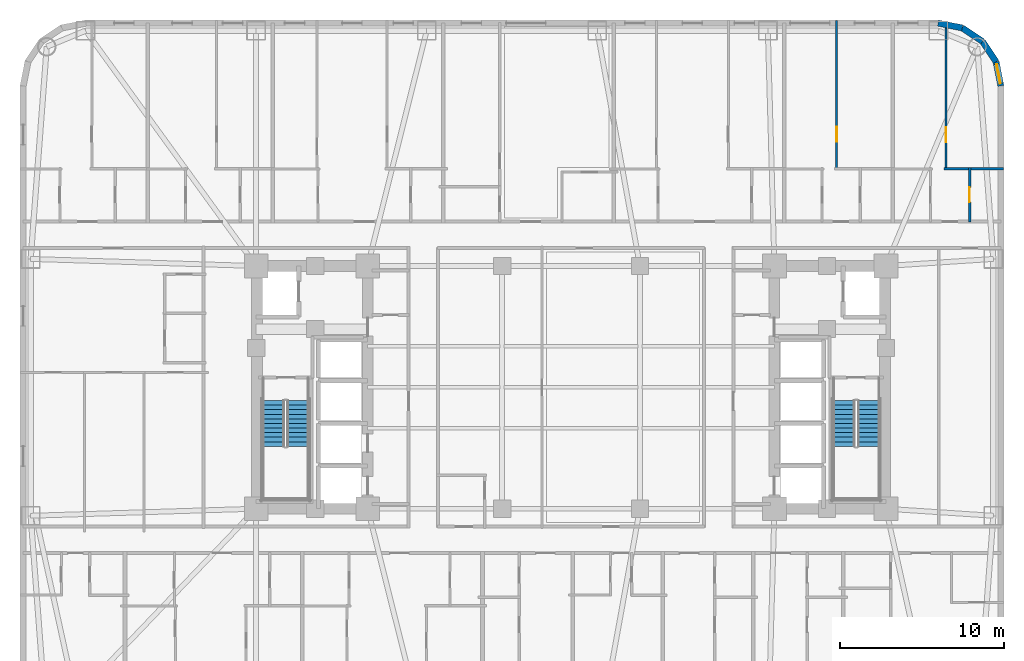
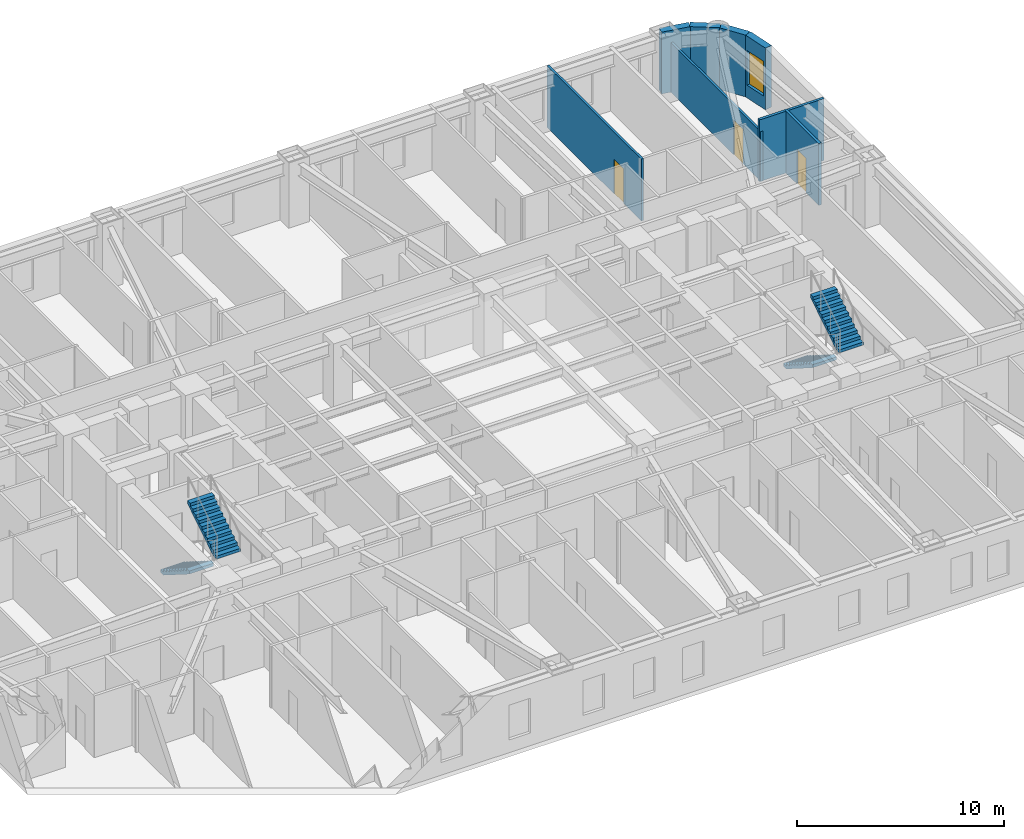
# One storey, part 9 of 12: 8 walls, 4 stair flights, 3 doors, 1 window, 4 openings, 2 elements without a shape of their own.
"""IFC4 building model written with IfcOpenShell, lengths in metres."""

from ifc_helpers import new_model, si_unit, direction, frame, frame_2d, origin, place, context, subcontext, project, spatial, polyline, rectangle, outline, extrude, material, layer, layer_set, type_object, element, fill, aggregate, save


model = new_model("IFC4")

# Units and contexts
model_context = context("Model", 3, precision=1e-05, world=origin(), true_north=direction((0.0, 1.0)))
body_context = subcontext(model_context, "Body", "Model", "MODEL_VIEW")
ifc_project = project(units=[si_unit("LENGTHUNIT", "METRE"), si_unit("AREAUNIT", "SQUARE_METRE"), si_unit("VOLUMEUNIT", "CUBIC_METRE"), si_unit("PLANEANGLEUNIT", "RADIAN"), si_unit("MASSUNIT", "GRAM", prefix="KILO")], contexts=[model_context])

# Site, building, storey
site_placement = place(None, origin())
site = spatial("IfcSite", under=ifc_project, at=site_placement, CompositionType="ELEMENT")
building_placement = place(site_placement, origin())
building = spatial("IfcBuilding", under=site, at=building_placement, Name="Voryun Gate Residences", CompositionType="ELEMENT")
storey_placement = place(building_placement, frame((0.0, 0.0, 41.60009765625)))
storey = spatial("IfcBuildingStorey", under=building, at=storey_placement, Name="L09", CompositionType="ELEMENT", Elevation=41.60009765625)

# Walls
ifc_material_1 = material(Name="Granite masonry", Category="masonry")
ifc_layer_1 = layer(ifc_material_1, 0.3798828125, Name="W_EXT_GRANITE_380")
ifc_layer_set_1 = layer_set([ifc_layer_1], Name="Granite masonry")
wall_type_1 = type_object("IfcWallType", Name="W_EXT_GRANITE_380", PredefinedType="ELEMENTEDWALL", material=ifc_layer_set_1)
wall_1_placement = place(storey_placement, frame((22.38134765625, 22.2099609375, 0.0), z_axis=(0.0, 0.0, 1.0), x_axis=(0.980786132421, -0.195086038585, 0.0)))
element("IfcWall", 1, at=wall_1_placement, inside=storey, type_object=wall_type_1, Name="Exterior wall WEXT-L09-12", PredefinedType="ELEMENTEDWALL", context=body_context, shape_type="SweptSolid", body=[
    extrude(rectangle(XDim=1.504150390625, YDim=0.3798828125, at=frame_2d((0.751953125, 0.0))), origin(), (0.0, 0.0, 1.0), 3.64990234375),
])
for number, where, z_axis, x_axis, name in (
    (2, (23.856689453125, 21.91650390625, 0.0), (0.0, 0.0, 1.0), (0.831392092774, -0.555686231674, 0.0), "Exterior wall WEXT-L09-13"),
    (3, (25.09130859375, 21.09130859375, 0.0), (0.0, 0.0, 1.0), (0.555686231674, -0.831392092774, 0.0), "Exterior wall WEXT-L09-14"),
):
    element("IfcWall", number, at=place(storey_placement, frame(where, z_axis=z_axis, x_axis=x_axis)), inside=storey, type_object=wall_type_1, Name=name, PredefinedType="ELEMENTEDWALL", context=body_context, shape_type="SweptSolid", body=[
        extrude(rectangle(XDim=1.485107421875, YDim=0.3798828125, at=frame_2d((0.74267578125, 0.0))), origin(), (0.0, 0.0, 1.0), 3.64990234375),
    ])

# Wall, opening, window
wall_2_placement = place(storey_placement, frame((25.91650390625, 19.856689453125, 0.0), z_axis=(0.0, 0.0, 1.0), x_axis=(0.195086038585, -0.980786132421, 0.0)))
wall_2 = element("IfcWall", 4, at=wall_2_placement, inside=storey, type_object=wall_type_1, Name="Exterior wall WEXT-L09-15", PredefinedType="ELEMENTEDWALL", context=body_context, shape_type="SweptSolid", body=[
    extrude(rectangle(XDim=1.504150390625, YDim=0.3798828125, at=frame_2d((0.751953125, 0.0))), origin(), (0.0, 0.0, 1.0), 3.64990234375),
])
opening_1_placement = place(wall_2_placement, frame((0.152099609375, 0.0, 0.75)))
opening_1 = element("IfcOpeningElement", 5, at=opening_1_placement, cuts=wall_2, Name="Opening WN6", PredefinedType="OPENING", context=body_context, shape_type="SweptSolid", body=[
    extrude(rectangle(XDim=1.199951171875, YDim=2.050048828125, at=frame_2d((0.60009765625, 1.02490234375))), frame((0.0, 0.199951171875, 0.0), z_axis=(0.0, -1.0, 0.0), x_axis=(1.0, 0.0, 0.0)), (0.0, 0.0, 1.0), 0.39990234375),
])
ifc_material_2 = material(Name="Laminated low-E glass", Category="glass")
window_type = type_object("IfcWindowType", Name="WN_POD_SLOT_1200", PartitioningType="SINGLE_PANEL", PredefinedType="WINDOW", material=ifc_material_2)
window_placement = place(opening_1_placement, origin())
window = element("IfcWindow", 6, at=window_placement, inside=storey, type_object=window_type, Name="Window WN-L09-DWFIX-14", OverallHeight=2.050048828125, OverallWidth=1.199951171875, PartitioningType="SINGLE_PANEL", PredefinedType="WINDOW", context=body_context, shape_type="SweptSolid", body=[
    extrude(rectangle(XDim=1.199951171875, YDim=2.050048828125, at=frame_2d((0.60009765625, 1.02490234375))), frame((0.0, 0.030029296875, 0.0), z_axis=(0.0, -1.0, 0.0), x_axis=(1.0, 0.0, 0.0)), (0.0, 0.0, 1.0), 0.06005859375),
])
fill(opening_1, window)

# Wall, opening, door
ifc_material_3 = material(Name="Gypsum acoustic partition")
ifc_layer_2 = layer(ifc_material_3, 0.125, Name="W_UNIT_PART_125")
ifc_layer_set_2 = layer_set([ifc_layer_2], Name="Gypsum acoustic partition")
wall_type_2 = type_object("IfcWallType", Name="W_UNIT_PART_125", PredefinedType="PARTITIONING", material=ifc_layer_set_2)
wall_3_placement = place(storey_placement, frame((16.198974609375, 13.239990234375, 0.0), z_axis=(0.0, 0.0, 1.0), x_axis=(0.0, 1.0, 0.0)))
wall_3 = element("IfcWall", 7, at=wall_3_placement, inside=storey, type_object=wall_type_2, Name="Partition wall WP-L09-N6-OVR", PredefinedType="PARTITIONING", context=body_context, shape_type="SweptSolid", body=[
    extrude(rectangle(XDim=9.1201171875, YDim=0.125, at=frame_2d((4.56005859375, 0.0))), origin(), (0.0, 0.0, 1.0), 3.64990234375),
])
opening_2_placement = place(wall_3_placement, frame((1.73876953125, 0.0, 0.0)))
opening_2 = element("IfcOpeningElement", 8, at=opening_2_placement, cuts=wall_3, Name="Opening D-INT-2", PredefinedType="OPENING", context=body_context, shape_type="SweptSolid", body=[
    extrude(rectangle(XDim=0.89990234375, YDim=2.050048828125, at=frame_2d((0.449951171875, 1.02490234375))), frame((0.0, 0.072509765625, 0.0), z_axis=(0.0, -1.0, 0.0), x_axis=(1.0, 0.0, 0.0)), (0.0, 0.0, 1.0), 0.14501953125),
])
ifc_material_4 = material(Name="Architectural oak veneer")
door_type = type_object("IfcDoorType", Name="DR_INT_BATH_900", OperationType="NOTDEFINED", PredefinedType="DOOR", material=ifc_material_4)
door_1_placement = place(opening_2_placement, origin())
door_1 = element("IfcDoor", 9, at=door_1_placement, inside=storey, type_object=door_type, Name="Door DR-L09-N6-DMB", OperationType="SINGLE_SWING_RIGHT", OverallHeight=2.050048828125, OverallWidth=0.89990234375, PredefinedType="DOOR", context=body_context, shape_type="SweptSolid", body=[
    extrude(rectangle(XDim=0.89990234375, YDim=2.050048828125, at=frame_2d((0.449951171875, 1.02490234375))), frame((0.0, 0.02490234375, 0.0), z_axis=(0.0, -1.0, 0.0), x_axis=(1.0, 0.0, 0.0)), (0.0, 0.0, 1.0), 0.050048828125),
])
fill(opening_2, door_1)

wall_4_placement = place(storey_placement, frame((22.867919921875, 13.239990234375, 0.0), z_axis=(0.0, 0.0, 1.0), x_axis=(0.0, 1.0, 0.0)))
wall_4 = element("IfcWall", 10, at=wall_4_placement, inside=storey, type_object=wall_type_2, Name="Partition wall WP-L09-N7-OVR", PredefinedType="PARTITIONING", context=body_context, shape_type="SweptSolid", body=[
    extrude(rectangle(XDim=9.026123046875, YDim=0.125, at=frame_2d((4.51318359375, 0.0))), origin(), (0.0, 0.0, 1.0), 2.93994140625),
])
opening_3_placement = place(wall_4_placement, frame((1.71630859375, 0.0, 0.0)))
opening_3 = element("IfcOpeningElement", 11, at=opening_3_placement, cuts=wall_4, Name="Opening D-INT-2", PredefinedType="OPENING", context=body_context, shape_type="SweptSolid", body=[
    extrude(rectangle(XDim=0.89990234375, YDim=2.050048828125, at=frame_2d((0.449951171875, 1.02490234375))), frame((0.0, 0.072509765625, 0.0), z_axis=(0.0, -1.0, 0.0), x_axis=(1.0, 0.0, 0.0)), (0.0, 0.0, 1.0), 0.14501953125),
])
door_2_placement = place(opening_3_placement, origin())
door_2 = element("IfcDoor", 12, at=door_2_placement, inside=storey, type_object=door_type, Name="Door DR-L09-N7-DMB", OperationType="SINGLE_SWING_RIGHT", OverallHeight=2.050048828125, OverallWidth=0.89990234375, PredefinedType="DOOR", context=body_context, shape_type="SweptSolid", body=[
    extrude(rectangle(XDim=0.89990234375, YDim=2.050048828125, at=frame_2d((0.449951171875, 1.02490234375))), frame((0.0, 0.02490234375, 0.0), z_axis=(0.0, -1.0, 0.0), x_axis=(1.0, 0.0, 0.0)), (0.0, 0.0, 1.0), 0.050048828125),
])
fill(opening_3, door_2)

# Wall
ifc_material_5 = material(Name="Gypsum moisture-resistant partition")
ifc_layer_3 = layer(ifc_material_5, 0.14990234375, Name="W_WET_PLUMB_150")
ifc_layer_set_3 = layer_set([ifc_layer_3], Name="Gypsum moisture-resistant partition")
wall_type_3 = type_object("IfcWallType", Name="W_WET_PLUMB_150", PredefinedType="PLUMBINGWALL", material=ifc_layer_set_3)
wall_5_placement = place(storey_placement, frame((22.748046875, 13.320068359375, 0.0), z_axis=(0.0, 0.0, 1.0), x_axis=(1.0, 0.0, 0.0)))
element("IfcWall", 13, at=wall_5_placement, inside=storey, type_object=wall_type_3, Name="Partition wall WP-L09-N7-HZB", PredefinedType="PLUMBINGWALL", context=body_context, shape_type="SweptSolid", body=[
    extrude(rectangle(XDim=3.612060546875, YDim=0.14990234375, at=frame_2d((1.80615234375, 0.0))), origin(), (0.0, 0.0, 1.0), 3.64990234375),
])

# Wall, opening, door
wall_6_placement = place(storey_placement, frame((24.298095703125, 10.080078125, 0.0), z_axis=(0.0, 0.0, 1.0), x_axis=(0.0, 1.0, 0.0)))
wall_6 = element("IfcWall", 14, at=wall_6_placement, inside=storey, type_object=wall_type_3, Name="Partition wall WP-L09-N7-IVB", PredefinedType="PLUMBINGWALL", context=body_context, shape_type="SweptSolid", body=[
    extrude(rectangle(XDim=3.31982421875, YDim=0.14990234375, at=frame_2d((1.659912109375, 0.0))), origin(), (0.0, 0.0, 1.0), 3.64990234375),
])
opening_4_placement = place(wall_6_placement, frame((1.2099609375, 0.0, 0.0)))
opening_4 = element("IfcOpeningElement", 15, at=opening_4_placement, cuts=wall_6, Name="Opening D-INT-2", PredefinedType="OPENING", context=body_context, shape_type="SweptSolid", body=[
    extrude(rectangle(XDim=0.89990234375, YDim=2.050048828125, at=frame_2d((0.449951171875, 1.02490234375))), frame((0.0, 0.0849609375, 0.0), z_axis=(0.0, -1.0, 0.0), x_axis=(1.0, 0.0, 0.0)), (0.0, 0.0, 1.0), 0.169921875),
])
door_3_placement = place(opening_4_placement, origin())
door_3 = element("IfcDoor", 16, at=door_3_placement, inside=storey, type_object=door_type, Name="Door DR-L09-N7-DB", OperationType="SINGLE_SWING_RIGHT", OverallHeight=2.050048828125, OverallWidth=0.89990234375, PredefinedType="DOOR", context=body_context, shape_type="SweptSolid", body=[
    extrude(rectangle(XDim=0.89990234375, YDim=2.050048828125, at=frame_2d((0.449951171875, 1.02490234375))), frame((0.0, 0.02490234375, 0.0), z_axis=(0.0, -1.0, 0.0), x_axis=(1.0, 0.0, 0.0)), (0.0, 0.0, 1.0), 0.050048828125),
])
fill(opening_4, door_3)

# Stair, stair flights
ifc_material_6 = material(Name="Concrete C40/50", Category="concrete")
stair_type = type_object("IfcStairType", Name="STR_CORE_DOGLEG_1350", PredefinedType="HALF_TURN_STAIR", material=ifc_material_6)
stair_1_placement = place(storey_placement, origin())
stair_1 = element("IfcStair", 17, at=stair_1_placement, inside=storey, type_object=stair_type, Name="L09 Special Escape Stair ST-W1", PredefinedType="HALF_TURN_STAIR")
ifc_material_7 = material(Name="Concrete C40/50", Category="concrete")
stair_flight_type = type_object("IfcStairFlightType", Name="FLT_CORE_1350", PredefinedType="STRAIGHT", material=ifc_material_7)
stair_flight_1_placement = place(storey_placement, frame((-18.14990234375, -0.800048828125, 0.0), z_axis=(0.0, 0.0, 1.0), x_axis=(0.0, -1.0, 0.0)))
stair_flight_1 = element("IfcStairFlight", 18, at=stair_flight_1_placement, type_object=stair_flight_type, Name="ST-W1 flight 1", NumberOfRisers=11, NumberOfTreads=10, PredefinedType="STRAIGHT", RiserHeight=0.177272727, TreadLength=0.28, context=body_context, shape_type="SweptSolid", body=[
    extrude(outline(polyline([(0.0, 0.0), (0.0, 0.17724609375), (0.280029296875, 0.17724609375), (0.280029296875, 0.3544921875), (0.56005859375, 0.3544921875), (0.56005859375, 0.53173828125), (0.840087890625, 0.53173828125), (0.840087890625, 0.708984375), (1.1201171875, 0.708984375), (1.1201171875, 0.886474609375), (1.39990234375, 0.886474609375), (1.39990234375, 1.063720703125), (1.679931640625, 1.063720703125), (1.679931640625, 1.240966796875), (1.9599609375, 1.240966796875), (1.9599609375, 1.418212890625), (2.239990234375, 1.418212890625), (2.239990234375, 1.595458984375), (2.52001953125, 1.595458984375), (2.52001953125, 1.772705078125), (2.800048828125, 1.772705078125), (2.800048828125, 1.949951171875), (2.800048828125, 1.59521484375), (0.2802734375, 0.0), (0.0, 0.0)])), frame((0.0, 0.675048828125, 0.0), z_axis=(0.0, -1.0, 0.0), x_axis=(1.0, 0.0, 0.0)), (0.0, 0.0, 1.0), 1.35009765625),
])
stair_flight_2_placement = place(storey_placement, frame((-16.64990234375, -3.60009765625, 1.949951171875), z_axis=(0.0, 0.0, 1.0), x_axis=(0.0, 1.0, 0.0)))
stair_flight_2 = element("IfcStairFlight", 19, at=stair_flight_2_placement, type_object=stair_flight_type, Name="ST-W1 flight 2", NumberOfRisers=11, NumberOfTreads=10, PredefinedType="STRAIGHT", RiserHeight=0.177272727, TreadLength=0.28, context=body_context, shape_type="SweptSolid", body=[
    extrude(outline(polyline([(0.0, 0.0), (0.0, 0.17724609375), (0.280029296875, 0.17724609375), (0.280029296875, 0.3544921875), (0.56005859375, 0.3544921875), (0.56005859375, 0.53173828125), (0.840087890625, 0.53173828125), (0.840087890625, 0.708984375), (1.1201171875, 0.708984375), (1.1201171875, 0.886474609375), (1.39990234375, 0.886474609375), (1.39990234375, 1.063720703125), (1.679931640625, 1.063720703125), (1.679931640625, 1.240966796875), (1.9599609375, 1.240966796875), (1.9599609375, 1.418212890625), (2.239990234375, 1.418212890625), (2.239990234375, 1.595458984375), (2.52001953125, 1.595458984375), (2.52001953125, 1.772705078125), (2.800048828125, 1.772705078125), (2.800048828125, 1.949951171875), (2.800048828125, 1.59521484375), (0.2802734375, 0.0), (0.0, 0.0)])), frame((0.0, 0.675048828125, 0.0), z_axis=(0.0, -1.0, 0.0), x_axis=(1.0, 0.0, 0.0)), (0.0, 0.0, 1.0), 1.35009765625),
])
aggregate(stair_1, [stair_flight_1, stair_flight_2])

stair_2_placement = place(storey_placement, origin())
stair_2 = element("IfcStair", 20, at=stair_2_placement, inside=storey, type_object=stair_type, Name="L09 Special Escape Stair ST-E1", PredefinedType="HALF_TURN_STAIR")
stair_flight_3_placement = place(storey_placement, frame((16.64990234375, -0.800048828125, 0.0), z_axis=(0.0, 0.0, 1.0), x_axis=(0.0, -1.0, 0.0)))
stair_flight_3 = element("IfcStairFlight", 21, at=stair_flight_3_placement, type_object=stair_flight_type, Name="ST-E1 flight 1", NumberOfRisers=11, NumberOfTreads=10, PredefinedType="STRAIGHT", RiserHeight=0.177272727, TreadLength=0.28, context=body_context, shape_type="SweptSolid", body=[
    extrude(outline(polyline([(0.0, 0.0), (0.0, 0.17724609375), (0.280029296875, 0.17724609375), (0.280029296875, 0.3544921875), (0.56005859375, 0.3544921875), (0.56005859375, 0.53173828125), (0.840087890625, 0.53173828125), (0.840087890625, 0.708984375), (1.1201171875, 0.708984375), (1.1201171875, 0.886474609375), (1.39990234375, 0.886474609375), (1.39990234375, 1.063720703125), (1.679931640625, 1.063720703125), (1.679931640625, 1.240966796875), (1.9599609375, 1.240966796875), (1.9599609375, 1.418212890625), (2.239990234375, 1.418212890625), (2.239990234375, 1.595458984375), (2.52001953125, 1.595458984375), (2.52001953125, 1.772705078125), (2.800048828125, 1.772705078125), (2.800048828125, 1.949951171875), (2.800048828125, 1.59521484375), (0.2802734375, 0.0), (0.0, 0.0)])), frame((0.0, 0.675048828125, 0.0), z_axis=(0.0, -1.0, 0.0), x_axis=(1.0, 0.0, 0.0)), (0.0, 0.0, 1.0), 1.35009765625),
])
stair_flight_4_placement = place(storey_placement, frame((18.14990234375, -3.60009765625, 1.949951171875), z_axis=(0.0, 0.0, 1.0), x_axis=(0.0, 1.0, 0.0)))
stair_flight_4 = element("IfcStairFlight", 22, at=stair_flight_4_placement, type_object=stair_flight_type, Name="ST-E1 flight 2", NumberOfRisers=11, NumberOfTreads=10, PredefinedType="STRAIGHT", RiserHeight=0.177272727, TreadLength=0.28, context=body_context, shape_type="SweptSolid", body=[
    extrude(outline(polyline([(0.0, 0.0), (0.0, 0.17724609375), (0.280029296875, 0.17724609375), (0.280029296875, 0.3544921875), (0.56005859375, 0.3544921875), (0.56005859375, 0.53173828125), (0.840087890625, 0.53173828125), (0.840087890625, 0.708984375), (1.1201171875, 0.708984375), (1.1201171875, 0.886474609375), (1.39990234375, 0.886474609375), (1.39990234375, 1.063720703125), (1.679931640625, 1.063720703125), (1.679931640625, 1.240966796875), (1.9599609375, 1.240966796875), (1.9599609375, 1.418212890625), (2.239990234375, 1.418212890625), (2.239990234375, 1.595458984375), (2.52001953125, 1.595458984375), (2.52001953125, 1.772705078125), (2.800048828125, 1.772705078125), (2.800048828125, 1.949951171875), (2.800048828125, 1.59521484375), (0.2802734375, 0.0), (0.0, 0.0)])), frame((0.0, 0.675048828125, 0.0), z_axis=(0.0, -1.0, 0.0), x_axis=(1.0, 0.0, 0.0)), (0.0, 0.0, 1.0), 1.35009765625),
])
aggregate(stair_2, [stair_flight_3, stair_flight_4])

save(model, "model.ifc")
